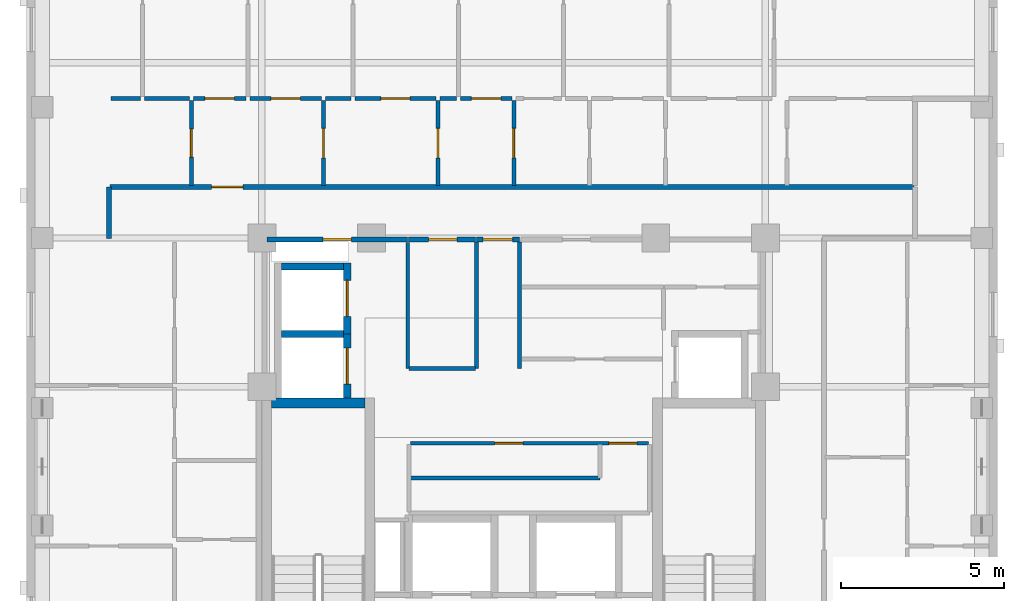
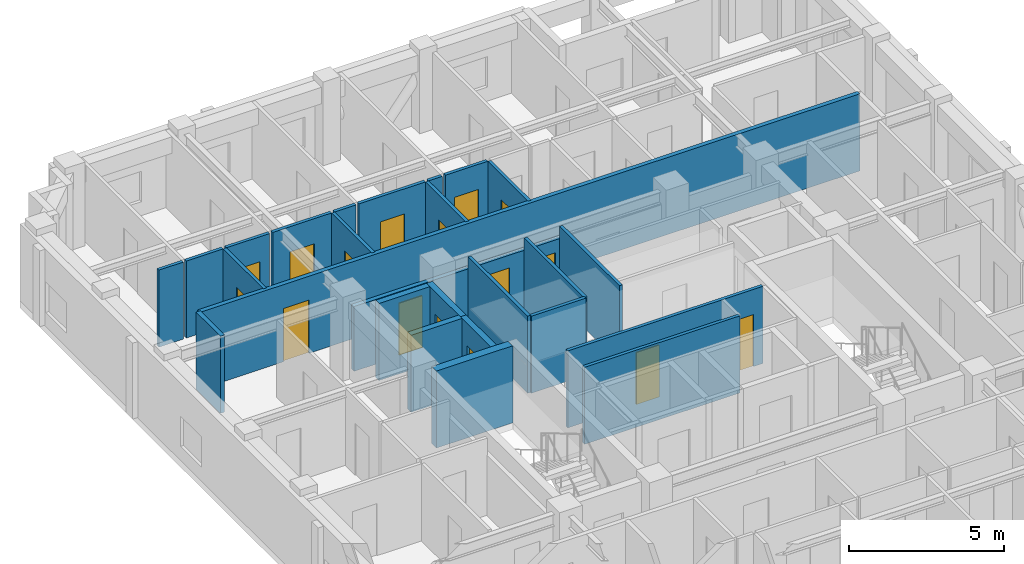
# One storey, part 5 of 11: 28 walls, 16 doors, 16 openings.
"""IFC4 building model written with IfcOpenShell, lengths in metres."""

from ifc_helpers import new_model, si_unit, derived_unit, direction, frame, frame_2d, origin, place, context, subcontext, project, spatial, rectangle, extrude, material, layer, layer_set, type_object, element, fill, save


model = new_model("IFC4")

# Units and contexts
model_context = context("Model", 3, precision=1e-05, world=origin(), true_north=direction((0.0, 1.0)))
body_context = subcontext(model_context, "Body", "Model", "MODEL_VIEW")
ifc_project = project(units=[si_unit("LENGTHUNIT", "METRE"), si_unit("AREAUNIT", "SQUARE_METRE"), si_unit("VOLUMEUNIT", "CUBIC_METRE"), si_unit("PLANEANGLEUNIT", "RADIAN"), si_unit("MASSUNIT", "GRAM", prefix="KILO"), derived_unit("THERMALTRANSMITTANCEUNIT", [(si_unit("MASSUNIT", "GRAM", prefix="KILO"), 1), (si_unit("TIMEUNIT", "SECOND"), -3), (si_unit("THERMODYNAMICTEMPERATUREUNIT", "KELVIN"), -1)])], contexts=[model_context])

# Site, building, storey
site_placement = place(None, origin())
site = spatial("IfcSite", under=ifc_project, at=site_placement, CompositionType="ELEMENT")
building_placement = place(site_placement, origin())
building = spatial("IfcBuilding", under=site, at=building_placement, Name="Korrvale Station Residences", CompositionType="ELEMENT")
storey_placement = place(building_placement, frame((0.0, 0.0, 197.5)))
storey = spatial("IfcBuildingStorey", under=building, at=storey_placement, Name="L57", CompositionType="ELEMENT", Elevation=197.5)

# Walls
ifc_material_1 = material(Name="Concrete C50/60", Category="concrete")
ifc_layer_1 = layer(ifc_material_1, 0.300048828125, Name="Concrete C50/60")
ifc_layer_set_1 = layer_set([ifc_layer_1], Name="Concrete C50/60")
wall_type_1 = type_object("IfcWallType", Name="WAL-CORE-300-C50", PredefinedType="SHEAR", material=ifc_layer_set_1)
wall_1_placement = place(storey_placement, frame((18.10009765625, 23.949951171875, 0.0), z_axis=(0.0, 0.0, 1.0), x_axis=(1.0, 0.0, 0.0)))
element("IfcWall", 1, at=wall_1_placement, inside=storey, type_object=wall_type_1, Name="L57 ST-1 Core Shear Wall North", PredefinedType="SHEAR", context=body_context, shape_type="SweptSolid", body=[
    extrude(rectangle(XDim=2.849853515625, YDim=0.300048828125, at=frame_2d((1.4248046875, 0.0))), origin(), (0.0, 0.0, 1.0), 3.0400390625),
])
ifc_material_2 = material(Name="Acoustic steel-stud gypsum board partition", Category="steel")
ifc_layer_2 = layer(ifc_material_2, 0.1201171875, Name="Acoustic steel-stud gypsum board partition")
ifc_layer_set_2 = layer_set([ifc_layer_2], Name="Acoustic steel-stud gypsum board partition")
wall_type_2 = type_object("IfcWallType", Name="WAL-PART-125", PredefinedType="PARTITIONING", material=ifc_layer_set_2)
for number, where, z_axis, x_axis, name in (
    (2, (24.360107421875, 25.0, 0.0), (0.0, 0.0, 1.0), (0.0, 1.0, 0.0), "L57 Core Partition CW-PSG-W"),
    (3, (25.679931640625, 25.0, 0.0), (0.0, 0.0, 1.0), (0.0, 1.0, 0.0), "L57 Core Partition CW-PSG-E"),
):
    element("IfcWall", number, at=place(storey_placement, frame(where, z_axis=z_axis, x_axis=x_axis)), inside=storey, type_object=wall_type_2, Name=name, PredefinedType="PARTITIONING", context=body_context, shape_type="SweptSolid", body=[
        extrude(rectangle(XDim=3.8701171875, YDim=0.1201171875, at=frame_2d((1.93505859375, 0.0))), origin(), (0.0, 0.0, 1.0), 3.0400390625),
    ])
wall_2_placement = place(storey_placement, frame((22.260009765625, 25.0, 0.0), z_axis=(0.0, 0.0, 1.0), x_axis=(0.0, 1.0, 0.0)))
element("IfcWall", 4, at=wall_2_placement, inside=storey, type_object=wall_type_2, Name="L57 Core Partition CW-FPLW-W", PredefinedType="PARTITIONING", context=body_context, shape_type="SweptSolid", body=[
    extrude(rectangle(XDim=3.860107421875, YDim=0.1201171875, at=frame_2d((1.93017578125, 0.0))), origin(), (0.0, 0.0, 1.0), 3.0400390625),
])
wall_3_placement = place(storey_placement, frame((22.300048828125, 25.0, 0.0), z_axis=(0.0, 0.0, 1.0), x_axis=(1.0, 0.0, 0.0)))
element("IfcWall", 5, at=wall_3_placement, inside=storey, type_object=wall_type_2, Name="L57 Core Partition CW-FPLW-S", PredefinedType="PARTITIONING", context=body_context, shape_type="SweptSolid", body=[
    extrude(rectangle(XDim=2.0400390625, YDim=0.1201171875, at=frame_2d((1.02001953125, 0.0))), origin(), (0.0, 0.0, 1.0), 3.0400390625),
])
wall_4_placement = place(storey_placement, frame((22.35009765625, 21.64990234375, 0.0), z_axis=(0.0, 0.0, 1.0), x_axis=(1.0, 0.0, 0.0)))
element("IfcWall", 6, at=wall_4_placement, inside=storey, type_object=wall_type_2, Name="L57 Core Partition CW-FPM-H1", PredefinedType="PARTITIONING", context=body_context, shape_type="SweptSolid", body=[
    extrude(rectangle(XDim=5.789794921875, YDim=0.1201171875, at=frame_2d((2.89501953125, 0.0))), origin(), (0.0, 0.0, 1.0), 3.0400390625),
])

# Wall, openings, doors
wall_5_placement = place(storey_placement, frame((22.35009765625, 22.719970703125, 0.0), z_axis=(0.0, 0.0, 1.0), x_axis=(1.0, 0.0, 0.0)))
wall_5 = element("IfcWall", 7, at=wall_5_placement, inside=storey, type_object=wall_type_2, Name="L57 Core Partition CW-FPM-N", PredefinedType="PARTITIONING", context=body_context, shape_type="SweptSolid", body=[
    extrude(rectangle(XDim=7.27001953125, YDim=0.1201171875, at=frame_2d((3.635009765625, 0.0))), origin(), (0.0, 0.0, 1.0), 3.0400390625),
])
opening_1_placement = place(wall_5_placement, frame((2.570068359375, 0.0, 0.0)))
opening_1 = element("IfcOpeningElement", 8, at=opening_1_placement, cuts=wall_5, Name="Opening DB-860", PredefinedType="OPENING", context=body_context, shape_type="SweptSolid", body=[
    extrude(rectangle(XDim=0.860107421875, YDim=2.050048828125, at=frame_2d((0.43017578125, 1.02490234375))), frame((0.0, 0.070068359375, 0.0), z_axis=(0.0, -1.0, 0.0), x_axis=(1.0, 0.0, 0.0)), (0.0, 0.0, 1.0), 0.14013671875),
])
opening_2_placement = place(wall_5_placement, frame((6.06005859375, 0.0, 0.0)))
opening_2 = element("IfcOpeningElement", 9, at=opening_2_placement, cuts=wall_5, Name="Opening DB-860", PredefinedType="OPENING", context=body_context, shape_type="SweptSolid", body=[
    extrude(rectangle(XDim=0.860107421875, YDim=2.050048828125, at=frame_2d((0.43017578125, 1.02490234375))), frame((0.0, 0.070068359375, 0.0), z_axis=(0.0, -1.0, 0.0), x_axis=(1.0, 0.0, 0.0)), (0.0, 0.0, 1.0), 0.14013671875),
])
ifc_material_3 = material(Name="Moisture-resistant solid-core bathroom door", Category="timber")
door_type_1 = type_object("IfcDoorType", Name="DR-BATH-860", OperationType="NOTDEFINED", PredefinedType="DOOR", material=ifc_material_3)
door_1_placement = place(opening_1_placement, origin())
door_1 = element("IfcDoor", 10, at=door_1_placement, inside=storey, type_object=door_type_1, Name="L57 Sky Pantry Door", OperationType="SINGLE_SWING_RIGHT", OverallHeight=2.050048828125, OverallWidth=0.860107421875, PredefinedType="DOOR", context=body_context, shape_type="SweptSolid", body=[
    extrude(rectangle(XDim=0.860107421875, YDim=2.050048828125, at=frame_2d((0.43017578125, 1.02490234375))), frame((0.0, 0.02490234375, 0.0), z_axis=(0.0, -1.0, 0.0), x_axis=(1.0, 0.0, 0.0)), (0.0, 0.0, 1.0), 0.050048828125),
])
fill(opening_1, door_1)
door_2_placement = place(opening_2_placement, origin())
door_2 = element("IfcDoor", 11, at=door_2_placement, inside=storey, type_object=door_type_1, Name="L57 Tableware Store Door", OperationType="SINGLE_SWING_LEFT", OverallHeight=2.050048828125, OverallWidth=0.860107421875, PredefinedType="DOOR", context=body_context, shape_type="SweptSolid", body=[
    extrude(rectangle(XDim=0.860107421875, YDim=2.050048828125, at=frame_2d((0.43017578125, 1.02490234375))), frame((0.0, 0.02490234375, 0.0), z_axis=(0.0, -1.0, 0.0), x_axis=(1.0, 0.0, 0.0)), (0.0, 0.0, 1.0), 0.050048828125),
])
fill(opening_2, door_2)

# Wall, opening, door
wall_6_placement = place(storey_placement, frame((15.639892578125, 30.60009765625, 0.0), z_axis=(0.0, 0.0, 1.0), x_axis=(0.0, 1.0, 0.0)))
wall_6 = element("IfcWall", 12, at=wall_6_placement, inside=storey, type_object=wall_type_2, Name="L57 Suite Partition U03-V01", PredefinedType="PARTITIONING", context=body_context, shape_type="SweptSolid", body=[
    extrude(rectangle(XDim=2.599853515625, YDim=0.1201171875, at=frame_2d((1.2998046875, 0.0))), origin(), (0.0, 0.0, 1.0), 3.0400390625),
])
opening_3_placement = place(wall_6_placement, frame((0.8701171875, 0.0, 0.0)))
opening_3 = element("IfcOpeningElement", 13, at=opening_3_placement, cuts=wall_6, Name="Opening DB-860", PredefinedType="OPENING", context=body_context, shape_type="SweptSolid", body=[
    extrude(rectangle(XDim=0.860107421875, YDim=2.050048828125, at=frame_2d((0.43017578125, 1.02490234375))), frame((0.0, 0.070068359375, 0.0), z_axis=(0.0, -1.0, 0.0), x_axis=(1.0, 0.0, 0.0)), (0.0, 0.0, 1.0), 0.14013671875),
])
door_3_placement = place(opening_3_placement, origin())
door_3 = element("IfcDoor", 14, at=door_3_placement, inside=storey, type_object=door_type_1, Name="L57 Studio Apartment L57-U03 Bathroom Door", OperationType="SINGLE_SWING_RIGHT", OverallHeight=2.050048828125, OverallWidth=0.860107421875, PredefinedType="DOOR", context=body_context, shape_type="SweptSolid", body=[
    extrude(rectangle(XDim=0.860107421875, YDim=2.050048828125, at=frame_2d((0.43017578125, 1.02490234375))), frame((0.0, 0.02490234375, 0.0), z_axis=(0.0, -1.0, 0.0), x_axis=(1.0, 0.0, 0.0)), (0.0, 0.0, 1.0), 0.050048828125),
])
fill(opening_3, door_3)

# Walls
wall_7_placement = place(storey_placement, frame((13.179931640625, 33.260009765625, 0.0), z_axis=(0.0, 0.0, 1.0), x_axis=(1.0, 0.0, 0.0)))
element("IfcWall", 15, at=wall_7_placement, inside=storey, type_object=wall_type_2, Name="L57 Suite Partition U03-H08", PredefinedType="PARTITIONING", context=body_context, shape_type="SweptSolid", body=[
    extrude(rectangle(XDim=0.91015625, YDim=0.1201171875, at=frame_2d((0.455078125, 0.0))), origin(), (0.0, 0.0, 1.0), 3.0400390625),
])
wall_8_placement = place(storey_placement, frame((14.2099609375, 33.260009765625, 0.0), z_axis=(0.0, 0.0, 1.0), x_axis=(1.0, 0.0, 0.0)))
element("IfcWall", 16, at=wall_8_placement, inside=storey, type_object=wall_type_2, Name="L57 Suite Partition U03-H09", PredefinedType="PARTITIONING", context=body_context, shape_type="SweptSolid", body=[
    extrude(rectangle(XDim=1.3701171875, YDim=0.1201171875, at=frame_2d((0.68505859375, 0.0))), origin(), (0.0, 0.0, 1.0), 3.0400390625),
])

# Wall, opening, door
wall_9_placement = place(storey_placement, frame((19.679931640625, 30.60009765625, 0.0), z_axis=(0.0, 0.0, 1.0), x_axis=(0.0, 1.0, 0.0)))
wall_9 = element("IfcWall", 17, at=wall_9_placement, inside=storey, type_object=wall_type_2, Name="L57 Suite Partition U03-V12", PredefinedType="PARTITIONING", context=body_context, shape_type="SweptSolid", body=[
    extrude(rectangle(XDim=2.599853515625, YDim=0.1201171875, at=frame_2d((1.2998046875, 0.0))), origin(), (0.0, 0.0, 1.0), 3.0400390625),
])
opening_4_placement = place(wall_9_placement, frame((0.85009765625, 0.0, 0.0)))
opening_4 = element("IfcOpeningElement", 18, at=opening_4_placement, cuts=wall_9, Name="Opening DI-900", PredefinedType="OPENING", context=body_context, shape_type="SweptSolid", body=[
    extrude(rectangle(XDim=0.89990234375, YDim=2.050048828125, at=frame_2d((0.449951171875, 1.02490234375))), frame((0.0, 0.070068359375, 0.0), z_axis=(0.0, -1.0, 0.0), x_axis=(1.0, 0.0, 0.0)), (0.0, 0.0, 1.0), 0.14013671875),
])
ifc_material_4 = material(Name="Painted solid-core timber interior room door", Category="wood")
door_type_2 = type_object("IfcDoorType", Name="DR-INT-900", OperationType="NOTDEFINED", PredefinedType="DOOR", material=ifc_material_4)
door_4_placement = place(opening_4_placement, origin())
door_4 = element("IfcDoor", 19, at=door_4_placement, inside=storey, type_object=door_type_2, Name="L57 Studio Apartment L57-U03 Kitchen Door", OperationType="SINGLE_SWING_LEFT", OverallHeight=2.050048828125, OverallWidth=0.89990234375, PredefinedType="DOOR", context=body_context, shape_type="SweptSolid", body=[
    extrude(rectangle(XDim=0.89990234375, YDim=2.050048828125, at=frame_2d((0.449951171875, 1.02490234375))), frame((0.0, 0.02490234375, 0.0), z_axis=(0.0, -1.0, 0.0), x_axis=(1.0, 0.0, 0.0)), (0.0, 0.0, 1.0), 0.050048828125),
])
fill(opening_4, door_4)

wall_10_placement = place(storey_placement, frame((15.699951171875, 33.260009765625, 0.0), z_axis=(0.0, 0.0, 1.0), x_axis=(1.0, 0.0, 0.0)))
wall_10 = element("IfcWall", 20, at=wall_10_placement, inside=storey, type_object=wall_type_2, Name="L57 Suite Partition U03-H19", PredefinedType="PARTITIONING", context=body_context, shape_type="SweptSolid", body=[
    extrude(rectangle(XDim=1.610107421875, YDim=0.1201171875, at=frame_2d((0.80517578125, 0.0))), origin(), (0.0, 0.0, 1.0), 3.0400390625),
])
opening_5_placement = place(wall_10_placement, frame((0.35498046875, 0.0, 0.0)))
opening_5 = element("IfcOpeningElement", 21, at=opening_5_placement, cuts=wall_10, Name="Opening DI-900", PredefinedType="OPENING", context=body_context, shape_type="SweptSolid", body=[
    extrude(rectangle(XDim=0.89990234375, YDim=2.050048828125, at=frame_2d((0.449951171875, 1.02490234375))), frame((0.0, 0.070068359375, 0.0), z_axis=(0.0, -1.0, 0.0), x_axis=(1.0, 0.0, 0.0)), (0.0, 0.0, 1.0), 0.14013671875),
])
door_5_placement = place(opening_5_placement, origin())
door_5 = element("IfcDoor", 22, at=door_5_placement, inside=storey, type_object=door_type_2, Name="L57 Studio Apartment L57-U03 Kitchen Door", OperationType="SINGLE_SWING_RIGHT", OverallHeight=2.050048828125, OverallWidth=0.89990234375, PredefinedType="DOOR", context=body_context, shape_type="SweptSolid", body=[
    extrude(rectangle(XDim=0.89990234375, YDim=2.050048828125, at=frame_2d((0.449951171875, 1.02490234375))), frame((0.0, 0.02490234375, 0.0), z_axis=(0.0, -1.0, 0.0), x_axis=(1.0, 0.0, 0.0)), (0.0, 0.0, 1.0), 0.050048828125),
])
fill(opening_5, door_5)

wall_11_placement = place(storey_placement, frame((17.429931640625, 33.260009765625, 0.0), z_axis=(0.0, 0.0, 1.0), x_axis=(1.0, 0.0, 0.0)))
wall_11 = element("IfcWall", 23, at=wall_11_placement, inside=storey, type_object=wall_type_2, Name="L57 Suite Partition U03-H110", PredefinedType="PARTITIONING", context=body_context, shape_type="SweptSolid", body=[
    extrude(rectangle(XDim=2.190185546875, YDim=0.1201171875, at=frame_2d((1.09521484375, 0.0))), origin(), (0.0, 0.0, 1.0), 3.0400390625),
])
opening_6_placement = place(wall_11_placement, frame((0.64501953125, 0.0, 0.0)))
opening_6 = element("IfcOpeningElement", 24, at=opening_6_placement, cuts=wall_11, Name="Opening DI-900", PredefinedType="OPENING", context=body_context, shape_type="SweptSolid", body=[
    extrude(rectangle(XDim=0.89990234375, YDim=2.050048828125, at=frame_2d((0.449951171875, 1.02490234375))), frame((0.0, 0.070068359375, 0.0), z_axis=(0.0, -1.0, 0.0), x_axis=(1.0, 0.0, 0.0)), (0.0, 0.0, 1.0), 0.14013671875),
])
door_6_placement = place(opening_6_placement, origin())
door_6 = element("IfcDoor", 25, at=door_6_placement, inside=storey, type_object=door_type_2, Name="L57 Studio Apartment L57-U03 Kitchen Door", OperationType="SINGLE_SWING_LEFT", OverallHeight=2.050048828125, OverallWidth=0.89990234375, PredefinedType="DOOR", context=body_context, shape_type="SweptSolid", body=[
    extrude(rectangle(XDim=0.89990234375, YDim=2.050048828125, at=frame_2d((0.449951171875, 1.02490234375))), frame((0.0, 0.02490234375, 0.0), z_axis=(0.0, -1.0, 0.0), x_axis=(1.0, 0.0, 0.0)), (0.0, 0.0, 1.0), 0.050048828125),
])
fill(opening_6, door_6)

wall_12_placement = place(storey_placement, frame((23.18505859375, 30.60009765625, 0.0), z_axis=(0.0, 0.0, 1.0), x_axis=(0.0, 1.0, 0.0)))
wall_12 = element("IfcWall", 26, at=wall_12_placement, inside=storey, type_object=wall_type_2, Name="L57 Suite Partition U03-V23", PredefinedType="PARTITIONING", context=body_context, shape_type="SweptSolid", body=[
    extrude(rectangle(XDim=2.599853515625, YDim=0.1201171875, at=frame_2d((1.2998046875, 0.0))), origin(), (0.0, 0.0, 1.0), 3.0400390625),
])
opening_7_placement = place(wall_12_placement, frame((0.85009765625, 0.0, 0.0)))
opening_7 = element("IfcOpeningElement", 27, at=opening_7_placement, cuts=wall_12, Name="Opening DI-900", PredefinedType="OPENING", context=body_context, shape_type="SweptSolid", body=[
    extrude(rectangle(XDim=0.89990234375, YDim=2.050048828125, at=frame_2d((0.449951171875, 1.02490234375))), frame((0.0, 0.070068359375, 0.0), z_axis=(0.0, -1.0, 0.0), x_axis=(1.0, 0.0, 0.0)), (0.0, 0.0, 1.0), 0.14013671875),
])
door_7_placement = place(opening_7_placement, origin())
door_7 = element("IfcDoor", 28, at=door_7_placement, inside=storey, type_object=door_type_2, Name="L57 Studio Apartment L57-U03 Home Study Room Door", OperationType="SINGLE_SWING_RIGHT", OverallHeight=2.050048828125, OverallWidth=0.89990234375, PredefinedType="DOOR", context=body_context, shape_type="SweptSolid", body=[
    extrude(rectangle(XDim=0.89990234375, YDim=2.050048828125, at=frame_2d((0.449951171875, 1.02490234375))), frame((0.0, 0.02490234375, 0.0), z_axis=(0.0, -1.0, 0.0), x_axis=(1.0, 0.0, 0.0)), (0.0, 0.0, 1.0), 0.050048828125),
])
fill(opening_7, door_7)

# Wall
wall_13_placement = place(storey_placement, frame((19.739990234375, 33.260009765625, 0.0), z_axis=(0.0, 0.0, 1.0), x_axis=(1.0, 0.0, 0.0)))
element("IfcWall", 29, at=wall_13_placement, inside=storey, type_object=wall_type_2, Name="L57 Suite Partition U03-H210", PredefinedType="PARTITIONING", context=body_context, shape_type="SweptSolid", body=[
    extrude(rectangle(XDim=0.7900390625, YDim=0.1201171875, at=frame_2d((0.39501953125, 0.0))), origin(), (0.0, 0.0, 1.0), 3.0400390625),
])

# Wall, opening, door
wall_14_placement = place(storey_placement, frame((20.64990234375, 33.260009765625, 0.0), z_axis=(0.0, 0.0, 1.0), x_axis=(1.0, 0.0, 0.0)))
wall_14 = element("IfcWall", 30, at=wall_14_placement, inside=storey, type_object=wall_type_2, Name="L57 Suite Partition U03-H211", PredefinedType="PARTITIONING", context=body_context, shape_type="SweptSolid", body=[
    extrude(rectangle(XDim=2.47509765625, YDim=0.1201171875, at=frame_2d((1.237548828125, 0.0))), origin(), (0.0, 0.0, 1.0), 3.0400390625),
])
opening_8_placement = place(wall_14_placement, frame((0.787109375, 0.0, 0.0)))
opening_8 = element("IfcOpeningElement", 31, at=opening_8_placement, cuts=wall_14, Name="Opening DI-900", PredefinedType="OPENING", context=body_context, shape_type="SweptSolid", body=[
    extrude(rectangle(XDim=0.89990234375, YDim=2.050048828125, at=frame_2d((0.449951171875, 1.02490234375))), frame((0.0, 0.070068359375, 0.0), z_axis=(0.0, -1.0, 0.0), x_axis=(1.0, 0.0, 0.0)), (0.0, 0.0, 1.0), 0.14013671875),
])
door_8_placement = place(opening_8_placement, origin())
door_8 = element("IfcDoor", 32, at=door_8_placement, inside=storey, type_object=door_type_2, Name="L57 Studio Apartment L57-U03 Home Study Room Door", OperationType="SINGLE_SWING_LEFT", OverallHeight=2.050048828125, OverallWidth=0.89990234375, PredefinedType="DOOR", context=body_context, shape_type="SweptSolid", body=[
    extrude(rectangle(XDim=0.89990234375, YDim=2.050048828125, at=frame_2d((0.449951171875, 1.02490234375))), frame((0.0, 0.02490234375, 0.0), z_axis=(0.0, -1.0, 0.0), x_axis=(1.0, 0.0, 0.0)), (0.0, 0.0, 1.0), 0.050048828125),
])
fill(opening_8, door_8)

wall_15_placement = place(storey_placement, frame((25.5048828125, 30.60009765625, 0.0), z_axis=(0.0, 0.0, 1.0), x_axis=(0.0, 1.0, 0.0)))
wall_15 = element("IfcWall", 33, at=wall_15_placement, inside=storey, type_object=wall_type_2, Name="L57 Suite Partition U03-V34", PredefinedType="PARTITIONING", context=body_context, shape_type="SweptSolid", body=[
    extrude(rectangle(XDim=2.599853515625, YDim=0.1201171875, at=frame_2d((1.2998046875, 0.0))), origin(), (0.0, 0.0, 1.0), 3.0400390625),
])
opening_9_placement = place(wall_15_placement, frame((0.85009765625, 0.0, 0.0)))
opening_9 = element("IfcOpeningElement", 34, at=opening_9_placement, cuts=wall_15, Name="Opening DI-900", PredefinedType="OPENING", context=body_context, shape_type="SweptSolid", body=[
    extrude(rectangle(XDim=0.89990234375, YDim=2.050048828125, at=frame_2d((0.449951171875, 1.02490234375))), frame((0.0, 0.070068359375, 0.0), z_axis=(0.0, -1.0, 0.0), x_axis=(1.0, 0.0, 0.0)), (0.0, 0.0, 1.0), 0.14013671875),
])
door_9_placement = place(opening_9_placement, origin())
door_9 = element("IfcDoor", 35, at=door_9_placement, inside=storey, type_object=door_type_2, Name="L57 Studio Apartment L57-U03 Wardrobe Storage Room Door", OperationType="SINGLE_SWING_RIGHT", OverallHeight=2.050048828125, OverallWidth=0.89990234375, PredefinedType="DOOR", context=body_context, shape_type="SweptSolid", body=[
    extrude(rectangle(XDim=0.89990234375, YDim=2.050048828125, at=frame_2d((0.449951171875, 1.02490234375))), frame((0.0, 0.02490234375, 0.0), z_axis=(0.0, -1.0, 0.0), x_axis=(1.0, 0.0, 0.0)), (0.0, 0.0, 1.0), 0.050048828125),
])
fill(opening_9, door_9)

# Wall
wall_16_placement = place(storey_placement, frame((23.2451171875, 33.260009765625, 0.0), z_axis=(0.0, 0.0, 1.0), x_axis=(1.0, 0.0, 0.0)))
element("IfcWall", 36, at=wall_16_placement, inside=storey, type_object=wall_type_2, Name="L57 Suite Partition U03-H311", PredefinedType="PARTITIONING", context=body_context, shape_type="SweptSolid", body=[
    extrude(rectangle(XDim=0.5048828125, YDim=0.1201171875, at=frame_2d((0.25244140625, 0.0))), origin(), (0.0, 0.0, 1.0), 3.0400390625),
])

# Wall, opening, door
wall_17_placement = place(storey_placement, frame((23.8701171875, 33.260009765625, 0.0), z_axis=(0.0, 0.0, 1.0), x_axis=(1.0, 0.0, 0.0)))
wall_17 = element("IfcWall", 37, at=wall_17_placement, inside=storey, type_object=wall_type_2, Name="L57 Suite Partition U03-H312", PredefinedType="PARTITIONING", context=body_context, shape_type="SweptSolid", body=[
    extrude(rectangle(XDim=1.574951171875, YDim=0.1201171875, at=frame_2d((0.78759765625, 0.0))), origin(), (0.0, 0.0, 1.0), 3.0400390625),
])
opening_10_placement = place(wall_17_placement, frame((0.3369140625, 0.0, 0.0)))
opening_10 = element("IfcOpeningElement", 38, at=opening_10_placement, cuts=wall_17, Name="Opening DI-900", PredefinedType="OPENING", context=body_context, shape_type="SweptSolid", body=[
    extrude(rectangle(XDim=0.89990234375, YDim=2.050048828125, at=frame_2d((0.449951171875, 1.02490234375))), frame((0.0, 0.070068359375, 0.0), z_axis=(0.0, -1.0, 0.0), x_axis=(1.0, 0.0, 0.0)), (0.0, 0.0, 1.0), 0.14013671875),
])
door_10_placement = place(opening_10_placement, origin())
door_10 = element("IfcDoor", 39, at=door_10_placement, inside=storey, type_object=door_type_2, Name="L57 Studio Apartment L57-U03 Wardrobe Storage Room Door", OperationType="SINGLE_SWING_LEFT", OverallHeight=2.050048828125, OverallWidth=0.89990234375, PredefinedType="DOOR", context=body_context, shape_type="SweptSolid", body=[
    extrude(rectangle(XDim=0.89990234375, YDim=2.050048828125, at=frame_2d((0.449951171875, 1.02490234375))), frame((0.0, 0.02490234375, 0.0), z_axis=(0.0, -1.0, 0.0), x_axis=(1.0, 0.0, 0.0)), (0.0, 0.0, 1.0), 0.050048828125),
])
fill(opening_10, door_10)

ifc_material_5 = material(Name="Fire-rated twin-stud gypsum and mineral wool shaftwall assembly", Category="gypsum")
ifc_layer_3 = layer(ifc_material_5, 0.159912109375, Name="Fire-rated twin-stud gypsum and mineral wool shaftwall assembly")
ifc_layer_set_3 = layer_set([ifc_layer_3], Name="Fire-rated twin-stud gypsum and mineral wool shaftwall assembly")
wall_type_3 = type_object("IfcWallType", Name="WAL-PART-200", PredefinedType="PARTITIONING", material=ifc_layer_set_3)
wall_18_placement = place(storey_placement, frame((24.360107421875, 28.949951171875, 0.0), z_axis=(0.0, 0.0, 1.0), x_axis=(1.0, 0.0, 0.0)))
wall_18 = element("IfcWall", 40, at=wall_18_placement, inside=storey, type_object=wall_type_3, Name="L57 Core Partition CW-LLOB-N", PredefinedType="PARTITIONING", context=body_context, shape_type="SweptSolid", body=[
    extrude(rectangle(XDim=1.31982421875, YDim=0.159912109375, at=frame_2d((0.659912109375, 0.0))), origin(), (0.0, 0.0, 1.0), 2.555908203125),
])
opening_11_placement = place(wall_18_placement, frame((0.2099609375, 0.0, 0.0)))
opening_11 = element("IfcOpeningElement", 41, at=opening_11_placement, cuts=wall_18, Name="Opening DI-900", PredefinedType="OPENING", context=body_context, shape_type="SweptSolid", body=[
    extrude(rectangle(XDim=0.89990234375, YDim=2.050048828125, at=frame_2d((0.449951171875, 1.02490234375))), frame((0.0, 0.08984375, 0.0), z_axis=(0.0, -1.0, 0.0), x_axis=(1.0, 0.0, 0.0)), (0.0, 0.0, 1.0), 0.179931640625),
])
door_11_placement = place(opening_11_placement, origin())
door_11 = element("IfcDoor", 42, at=door_11_placement, inside=storey, type_object=door_type_2, Name="L57 Central Hallway North Passage Door", OperationType="SINGLE_SWING_RIGHT", OverallHeight=2.050048828125, OverallWidth=0.89990234375, PredefinedType="DOOR", context=body_context, shape_type="SweptSolid", body=[
    extrude(rectangle(XDim=0.89990234375, YDim=2.050048828125, at=frame_2d((0.449951171875, 1.02490234375))), frame((0.0, 0.02490234375, 0.0), z_axis=(0.0, -1.0, 0.0), x_axis=(1.0, 0.0, 0.0)), (0.0, 0.0, 1.0), 0.050048828125),
])
fill(opening_11, door_11)

wall_19_placement = place(storey_placement, frame((17.9599609375, 28.949951171875, 0.0), z_axis=(0.0, 0.0, 1.0), x_axis=(1.0, 0.0, 0.0)))
wall_19 = element("IfcWall", 43, at=wall_19_placement, inside=storey, type_object=wall_type_3, Name="L57 Core Partition CW-NW", PredefinedType="PARTITIONING", context=body_context, shape_type="SweptSolid", body=[
    extrude(rectangle(XDim=4.2900390625, YDim=0.159912109375, at=frame_2d((2.14501953125, 0.0))), origin(), (0.0, 0.0, 1.0), 2.555908203125),
])
opening_12_placement = place(wall_19_placement, frame((1.715087890625, 0.0, 0.0)))
opening_12 = element("IfcOpeningElement", 44, at=opening_12_placement, cuts=wall_19, Name="Opening DB-860", PredefinedType="OPENING", context=body_context, shape_type="SweptSolid", body=[
    extrude(rectangle(XDim=0.860107421875, YDim=2.050048828125, at=frame_2d((0.43017578125, 1.02490234375))), frame((0.0, 0.08984375, 0.0), z_axis=(0.0, -1.0, 0.0), x_axis=(1.0, 0.0, 0.0)), (0.0, 0.0, 1.0), 0.179931640625),
])
door_12_placement = place(opening_12_placement, origin())
door_12 = element("IfcDoor", 45, at=door_12_placement, inside=storey, type_object=door_type_1, Name="L57 Electrical Riser Access Door", OperationType="SINGLE_SWING_LEFT", OverallHeight=2.050048828125, OverallWidth=0.860107421875, PredefinedType="DOOR", context=body_context, shape_type="SweptSolid", body=[
    extrude(rectangle(XDim=0.860107421875, YDim=2.050048828125, at=frame_2d((0.43017578125, 1.02490234375))), frame((0.0, 0.02490234375, 0.0), z_axis=(0.0, -1.0, 0.0), x_axis=(1.0, 0.0, 0.0)), (0.0, 0.0, 1.0), 0.050048828125),
])
fill(opening_12, door_12)

wall_20_placement = place(storey_placement, frame((22.280029296875, 28.949951171875, 0.0), z_axis=(0.0, 0.0, 1.0), x_axis=(1.0, 0.0, 0.0)))
wall_20 = element("IfcWall", 46, at=wall_20_placement, inside=storey, type_object=wall_type_3, Name="L57 Core Partition CW-FPLW-N", PredefinedType="PARTITIONING", context=body_context, shape_type="SweptSolid", body=[
    extrude(rectangle(XDim=2.06005859375, YDim=0.159912109375, at=frame_2d((1.030029296875, 0.0))), origin(), (0.0, 0.0, 1.0), 2.555908203125),
])
opening_13_placement = place(wall_20_placement, frame((0.6201171875, 0.0, 0.0)))
opening_13 = element("IfcOpeningElement", 47, at=opening_13_placement, cuts=wall_20, Name="Opening DB-860", PredefinedType="OPENING", context=body_context, shape_type="SweptSolid", body=[
    extrude(rectangle(XDim=0.860107421875, YDim=2.050048828125, at=frame_2d((0.43017578125, 1.02490234375))), frame((0.0, 0.08984375, 0.0), z_axis=(0.0, -1.0, 0.0), x_axis=(1.0, 0.0, 0.0)), (0.0, 0.0, 1.0), 0.179931640625),
])
door_13_placement = place(opening_13_placement, origin())
door_13 = element("IfcDoor", 48, at=door_13_placement, inside=storey, type_object=door_type_1, Name="L57 Resident Parcel Room Door", OperationType="SINGLE_SWING_LEFT", OverallHeight=2.050048828125, OverallWidth=0.860107421875, PredefinedType="DOOR", context=body_context, shape_type="SweptSolid", body=[
    extrude(rectangle(XDim=0.860107421875, YDim=2.050048828125, at=frame_2d((0.43017578125, 1.02490234375))), frame((0.0, 0.02490234375, 0.0), z_axis=(0.0, -1.0, 0.0), x_axis=(1.0, 0.0, 0.0)), (0.0, 0.0, 1.0), 0.050048828125),
])
fill(opening_13, door_13)

# Wall
wall_21_placement = place(storey_placement, frame((13.1201171875, 28.97998046875, 0.0), z_axis=(0.0, 0.0, 1.0), x_axis=(0.0, 1.0, 0.0)))
element("IfcWall", 49, at=wall_21_placement, inside=storey, type_object=wall_type_3, Name="L57 Corridor North West Cap", PredefinedType="PARTITIONING", context=body_context, shape_type="SweptSolid", body=[
    extrude(rectangle(XDim=1.580078125, YDim=0.159912109375, at=frame_2d((0.7900390625, 0.0))), origin(), (0.0, 0.0, 1.0), 3.0400390625),
])

# Wall, opening, door
wall_22_placement = place(storey_placement, frame((13.14990234375, 30.56005859375, 0.0), z_axis=(0.0, 0.0, 1.0), x_axis=(1.0, 0.0, 0.0)))
wall_22 = element("IfcWall", 50, at=wall_22_placement, inside=storey, type_object=wall_type_3, Name="L57 Rated Corridor Wall N", PredefinedType="PARTITIONING", context=body_context, shape_type="SweptSolid", body=[
    extrude(rectangle(XDim=24.60009765625, YDim=0.159912109375, at=frame_2d((12.300048828125, 0.0))), origin(), (0.0, 0.0, 1.0), 3.0400390625),
])
opening_14_placement = place(wall_22_placement, frame((3.114990234375, 0.0, 0.0)))
opening_14 = element("IfcOpeningElement", 51, at=opening_14_placement, cuts=wall_22, Name="Opening UD-950", PredefinedType="OPENING", context=body_context, shape_type="SweptSolid", body=[
    extrude(rectangle(XDim=0.949951171875, YDim=2.10009765625, at=frame_2d((0.47509765625, 1.050048828125))), frame((0.0, 0.08984375, 0.0), z_axis=(0.0, -1.0, 0.0), x_axis=(1.0, 0.0, 0.0)), (0.0, 0.0, 1.0), 0.179931640625),
])
ifc_material_6 = material(Name="Solid-core acoustic oak apartment entrance door", Category="timber")
door_type_3 = type_object("IfcDoorType", Name="DR-UNIT-950", OperationType="NOTDEFINED", PredefinedType="DOOR", material=ifc_material_6)
door_14_placement = place(opening_14_placement, origin())
door_14 = element("IfcDoor", 52, at=door_14_placement, inside=storey, type_object=door_type_3, Name="L57 Apartment L57-U03 Entrance Door", OperationType="SINGLE_SWING_LEFT", OverallHeight=2.10009765625, OverallWidth=0.949951171875, PredefinedType="DOOR", context=body_context, shape_type="SweptSolid", body=[
    extrude(rectangle(XDim=0.949951171875, YDim=2.10009765625, at=frame_2d((0.47509765625, 1.050048828125))), frame((0.0, 0.02490234375, 0.0), z_axis=(0.0, -1.0, 0.0), x_axis=(1.0, 0.0, 0.0)), (0.0, 0.0, 1.0), 0.050048828125),
])
fill(opening_14, door_14)

ifc_layer_4 = layer(ifc_material_1, 0.219970703125, Name="Concrete C50/60")
ifc_layer_set_4 = layer_set([ifc_layer_4], Name="Concrete C50/60")
wall_type_4 = type_object("IfcWallType", Name="WAL-SHAFT-220-C50", PredefinedType="SHEAR", material=ifc_layer_set_4)
wall_23_placement = place(storey_placement, frame((20.409912109375, 24.10009765625, 0.0), z_axis=(0.0, 0.0, 1.0), x_axis=(0.0, 1.0, 0.0)))
wall_23 = element("IfcWall", 53, at=wall_23_placement, inside=storey, type_object=wall_type_4, Name="L57 Elevator PH-1 Hoistway Wall East", PredefinedType="SHEAR", context=body_context, shape_type="SweptSolid", body=[
    extrude(rectangle(XDim=1.9599609375, YDim=0.219970703125, at=frame_2d((0.97998046875, 0.0))), origin(), (0.0, 0.0, 1.0), 3.0400390625),
])
opening_15_placement = place(wall_23_placement, frame((0.429931640625, 0.0, 0.0)))
opening_15 = element("IfcOpeningElement", 54, at=opening_15_placement, cuts=wall_23, Name="Opening LD-1100", PredefinedType="OPENING", context=body_context, shape_type="SweptSolid", body=[
    extrude(rectangle(XDim=1.10009765625, YDim=2.14990234375, at=frame_2d((0.550048828125, 1.074951171875))), frame((0.0, 0.1201171875, 0.0), z_axis=(0.0, -1.0, 0.0), x_axis=(1.0, 0.0, 0.0)), (0.0, 0.0, 1.0), 0.239990234375),
])
ifc_material_7 = material(Name="Brushed stainless-steel elevator landing sliding door", Category="steel")
door_type_4 = type_object("IfcDoorType", Name="DR-LIFT-1100", OperationType="SLIDING_TO_LEFT", PredefinedType="DOOR", material=ifc_material_7)
door_15_placement = place(opening_15_placement, origin())
door_15 = element("IfcDoor", 55, at=door_15_placement, inside=storey, type_object=door_type_4, Name="L57 Elevator PH-1 Sliding Landing Door", OperationType="SLIDING_TO_LEFT", OverallHeight=2.14990234375, OverallWidth=1.10009765625, PredefinedType="DOOR", context=body_context, shape_type="SweptSolid", body=[
    extrude(rectangle(XDim=1.10009765625, YDim=2.14990234375, at=frame_2d((0.550048828125, 1.074951171875))), frame((0.0, 0.02490234375, 0.0), z_axis=(0.0, -1.0, 0.0), x_axis=(1.0, 0.0, 0.0)), (0.0, 0.0, 1.0), 0.050048828125),
])
fill(opening_15, door_15)

# Walls
for number, where, z_axis, x_axis, name in (
    (56, (18.39990234375, 26.06005859375, 0.0), (0.0, 0.0, 1.0), (1.0, 0.0, 0.0), "L57 Elevator PH-2 Hoistway Wall South"),
    (57, (18.39990234375, 28.1298828125, 0.0), (0.0, 0.0, 1.0), (1.0, 0.0, 0.0), "L57 Elevator PH-2 Hoistway Wall North"),
):
    element("IfcWall", number, at=place(storey_placement, frame(where, z_axis=z_axis, x_axis=x_axis)), inside=storey, type_object=wall_type_4, Name=name, PredefinedType="SHEAR", context=body_context, shape_type="SweptSolid", body=[
        extrude(rectangle(XDim=1.900146484375, YDim=0.219970703125, at=frame_2d((0.9501953125, 0.0))), origin(), (0.0, 0.0, 1.0), 3.0400390625),
    ])

# Wall, opening, door
wall_24_placement = place(storey_placement, frame((20.409912109375, 26.06005859375, 0.0), z_axis=(0.0, 0.0, 1.0), x_axis=(0.0, 1.0, 0.0)))
wall_24 = element("IfcWall", 58, at=wall_24_placement, inside=storey, type_object=wall_type_4, Name="L57 Elevator PH-2 Hoistway Wall East", PredefinedType="SHEAR", context=body_context, shape_type="SweptSolid", body=[
    extrude(rectangle(XDim=2.179931640625, YDim=0.219970703125, at=frame_2d((1.08984375, 0.0))), origin(), (0.0, 0.0, 1.0), 3.0400390625),
])
opening_16_placement = place(wall_24_placement, frame((0.5400390625, 0.0, 0.0)))
opening_16 = element("IfcOpeningElement", 59, at=opening_16_placement, cuts=wall_24, Name="Opening LD-1100", PredefinedType="OPENING", context=body_context, shape_type="SweptSolid", body=[
    extrude(rectangle(XDim=1.10009765625, YDim=2.14990234375, at=frame_2d((0.550048828125, 1.074951171875))), frame((0.0, 0.1201171875, 0.0), z_axis=(0.0, -1.0, 0.0), x_axis=(1.0, 0.0, 0.0)), (0.0, 0.0, 1.0), 0.239990234375),
])
door_16_placement = place(opening_16_placement, origin())
door_16 = element("IfcDoor", 60, at=door_16_placement, inside=storey, type_object=door_type_4, Name="L57 Elevator PH-2 Sliding Landing Door", OperationType="SLIDING_TO_LEFT", OverallHeight=2.14990234375, OverallWidth=1.10009765625, PredefinedType="DOOR", context=body_context, shape_type="SweptSolid", body=[
    extrude(rectangle(XDim=1.10009765625, YDim=2.14990234375, at=frame_2d((0.550048828125, 1.074951171875))), frame((0.0, 0.02490234375, 0.0), z_axis=(0.0, -1.0, 0.0), x_axis=(1.0, 0.0, 0.0)), (0.0, 0.0, 1.0), 0.050048828125),
])
fill(opening_16, door_16)

save(model, "model.ifc")
